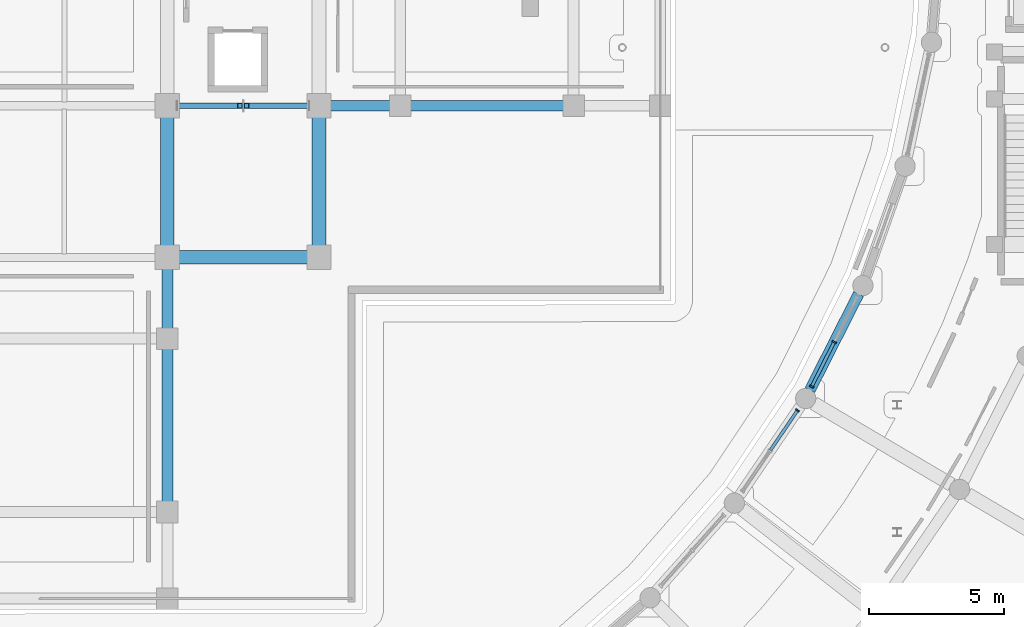
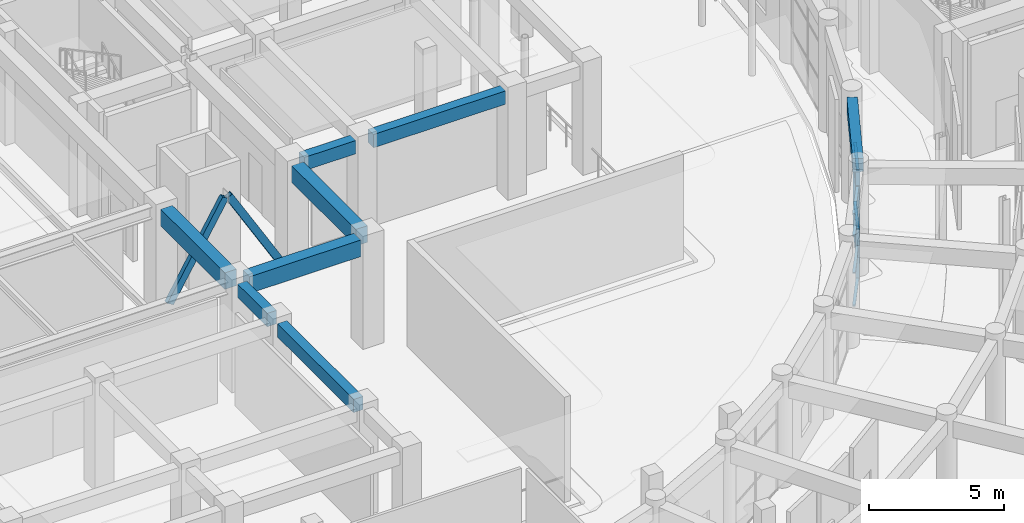
# One storey, part 41 of 99: 13 members, 8 beams, 2 elements without a shape of their own.
"""IFC4 building model written with IfcOpenShell, lengths in metres."""

from ifc_helpers import new_model, si_unit, direction, frame, origin, origin_2d, place, context, subcontext, project, spatial, rectangle, hollow_rectangle, extrude, material, material_profile, profile_set, type_object, element, aggregate, save


model = new_model("IFC4")

# Units and contexts
model_context = context("Model", 3, precision=1e-05, world=origin(), true_north=direction((0.0, 1.0)))
body_context = subcontext(model_context, "Body", "Model", "MODEL_VIEW")
ifc_project = project(units=[si_unit("LENGTHUNIT", "METRE"), si_unit("AREAUNIT", "SQUARE_METRE"), si_unit("VOLUMEUNIT", "CUBIC_METRE"), si_unit("PLANEANGLEUNIT", "RADIAN"), si_unit("MASSUNIT", "GRAM", prefix="KILO")], contexts=[model_context])

# Site, building, storey
site_placement = place(None, origin())
site = spatial("IfcSite", under=ifc_project, at=site_placement, CompositionType="ELEMENT")
building_placement = place(site_placement, origin())
building = spatial("IfcBuilding", under=site, at=building_placement, Name="Saryqyr Civic Hall", CompositionType="ELEMENT")
storey_placement = place(building_placement, origin())
storey = spatial("IfcBuildingStorey", under=building, at=storey_placement, Name="L00", CompositionType="ELEMENT", Elevation=0.0)

# Curtain wall, member
ifc_material_1 = material(Name="Anodised aluminium and triple low-E glass", Category="aluminium")
curtain_wall_type = type_object("IfcCurtainWallType", Name="ENV-CW-STD-09", PredefinedType="NOTDEFINED", material=ifc_material_1)
curtain_wall_1_placement = place(storey_placement, origin())
curtain_wall_1 = element("IfcCurtainWall", 1, at=curtain_wall_1_placement, inside=storey, type_object=curtain_wall_type, Name="Curtain wall V5-CWI-L00-05", PredefinedType="NOTDEFINED")
ifc_material_2 = material(Name="Anodised aluminium", Category="aluminium")
ifc_material_profile_1 = material_profile(ifc_material_2, rectangle(XDim=0.06005859375, YDim=0.159912109375, at=origin_2d()), Name="ALU MULLION 60x160")
ifc_profile_set_1 = profile_set([ifc_material_profile_1], Name="Anodised aluminium")
member_type_1 = type_object("IfcMemberType", Name="ENV-CW-MUL-180", PredefinedType="MULLION", material=ifc_profile_set_1)
member_1_placement = place(storey_placement, frame((87.868896484375, 65.149169921875, 0.0), z_axis=(0.0, 0.0, 1.0), x_axis=(0.563133092967, 0.826366213979, 0.0)))
member_1 = element("IfcMember", 2, at=member_1_placement, type_object=member_type_1, Name="CW-09 mullion 3", PredefinedType="MULLION", context=body_context, shape_type="SweptSolid", body=[
    extrude(rectangle(XDim=0.06005859375, YDim=0.159912109375, at=origin_2d()), origin(), (0.0, 0.0, 1.0), 4.195068359375),
])

# Curtain wall, members
curtain_wall_2_placement = place(storey_placement, origin())
curtain_wall_2 = element("IfcCurtainWall", 3, at=curtain_wall_2_placement, inside=storey, type_object=curtain_wall_type, Name="Curtain wall V5-CWI-L00-06", PredefinedType="NOTDEFINED")
member_2_placement = place(storey_placement, frame((88.392333984375, 66.03076171875, 0.0), z_axis=(0.0, 0.0, 1.0), x_axis=(0.451949777601, 0.892043383769, 0.0)))
member_2 = element("IfcMember", 4, at=member_2_placement, type_object=member_type_1, Name="CW-09 mullion 1", PredefinedType="MULLION", context=body_context, shape_type="SweptSolid", body=[
    extrude(rectangle(XDim=0.06005859375, YDim=0.159912109375, at=origin_2d()), origin(), (0.0, 0.0, 1.0), 4.195068359375),
])
member_3_placement = place(storey_placement, frame((89.224853515625, 67.67431640625, 0.0), z_axis=(0.0, 0.0, 1.0), x_axis=(0.451949777601, 0.892043383769, 0.0)))
member_3 = element("IfcMember", 5, at=member_3_placement, type_object=member_type_1, Name="CW-09 mullion 2", PredefinedType="MULLION", context=body_context, shape_type="SweptSolid", body=[
    extrude(rectangle(XDim=0.06005859375, YDim=0.159912109375, at=origin_2d()), origin(), (0.0, 0.0, 1.0), 4.195068359375),
])

# Member
ifc_material_profile_2 = material_profile(ifc_material_2, rectangle(XDim=0.1201171875, YDim=0.06005859375, at=origin_2d()), Name="ALU TRANSOM 120x60")
ifc_profile_set_2 = profile_set([ifc_material_profile_2], Name="Anodised aluminium")
member_type_2 = type_object("IfcMemberType", Name="ENV-CW-TRN-150", PredefinedType="USERDEFINED", material=ifc_profile_set_2)
member_4_placement = place(storey_placement, frame((86.868896484375, 63.68212890625, 0.030029296875), z_axis=(0.563128476931, 0.82636935959, 0.0), x_axis=(-0.82636935959, 0.563128476931, 0.0)))
member_4 = element("IfcMember", 6, at=member_4_placement, type_object=member_type_2, Name="CW-09 transom 2.1", ObjectType="TRANSOM", PredefinedType="USERDEFINED", context=body_context, shape_type="SweptSolid", body=[
    extrude(rectangle(XDim=0.1201171875, YDim=0.06005859375, at=origin_2d()), origin(), (0.0, 0.0, 1.0), 1.745361328125),
])

member_5_placement = place(storey_placement, frame((86.868896484375, 63.68212890625, 1.510009765625), z_axis=(0.563128476931, 0.82636935959, 0.0), x_axis=(-0.82636935959, 0.563128476931, 0.0)))
member_5 = element("IfcMember", 7, at=member_5_placement, type_object=member_type_2, Name="CW-09 transom 2.2", ObjectType="TRANSOM", PredefinedType="USERDEFINED", context=body_context, shape_type="SweptSolid", body=[
    extrude(rectangle(XDim=0.1201171875, YDim=0.06005859375, at=origin_2d()), origin(), (0.0, 0.0, 1.0), 1.745361328125),
])

member_6_placement = place(storey_placement, frame((86.868896484375, 63.68212890625, 3.18798828125), z_axis=(0.563128476931, 0.82636935959, 0.0), x_axis=(-0.82636935959, 0.563128476931, 0.0)))
member_6 = element("IfcMember", 8, at=member_6_placement, type_object=member_type_2, Name="CW-09 transom 2.3", ObjectType="TRANSOM", PredefinedType="USERDEFINED", context=body_context, shape_type="SweptSolid", body=[
    extrude(rectangle(XDim=0.1201171875, YDim=0.06005859375, at=origin_2d()), origin(), (0.0, 0.0, 1.0), 1.745361328125),
])

member_7_placement = place(storey_placement, frame((86.868896484375, 63.68212890625, 4.1650390625), z_axis=(0.563128476931, 0.82636935959, 0.0), x_axis=(-0.82636935959, 0.563128476931, 0.0)))
member_7 = element("IfcMember", 9, at=member_7_placement, type_object=member_type_2, Name="CW-09 transom 2.4", ObjectType="TRANSOM", PredefinedType="USERDEFINED", context=body_context, shape_type="SweptSolid", body=[
    extrude(rectangle(XDim=0.1201171875, YDim=0.06005859375, at=origin_2d()), origin(), (0.0, 0.0, 1.0), 1.745361328125),
])

aggregate(curtain_wall_1, [member_1, member_4, member_5, member_6, member_7])

member_8_placement = place(storey_placement, frame((88.40576171875, 66.0576171875, 0.030029296875), z_axis=(0.452028737244, 0.892003374829, 0.0), x_axis=(-0.892003374829, 0.452028737244, 0.0)))
member_8 = element("IfcMember", 10, at=member_8_placement, type_object=member_type_2, Name="CW-09 transom 1.1", ObjectType="TRANSOM", PredefinedType="USERDEFINED", context=body_context, shape_type="SweptSolid", body=[
    extrude(rectangle(XDim=0.1201171875, YDim=0.06005859375, at=origin_2d()), origin(), (0.0, 0.0, 1.0), 1.7822265625),
])

member_9_placement = place(storey_placement, frame((88.40576171875, 66.0576171875, 1.510009765625), z_axis=(0.452028737244, 0.892003374829, 0.0), x_axis=(-0.892003374829, 0.452028737244, 0.0)))
member_9 = element("IfcMember", 11, at=member_9_placement, type_object=member_type_2, Name="CW-09 transom 1.2", ObjectType="TRANSOM", PredefinedType="USERDEFINED", context=body_context, shape_type="SweptSolid", body=[
    extrude(rectangle(XDim=0.1201171875, YDim=0.06005859375, at=origin_2d()), origin(), (0.0, 0.0, 1.0), 1.7822265625),
])

member_10_placement = place(storey_placement, frame((88.40576171875, 66.0576171875, 3.18798828125), z_axis=(0.452028737244, 0.892003374829, 0.0), x_axis=(-0.892003374829, 0.452028737244, 0.0)))
member_10 = element("IfcMember", 12, at=member_10_placement, type_object=member_type_2, Name="CW-09 transom 1.3", ObjectType="TRANSOM", PredefinedType="USERDEFINED", context=body_context, shape_type="SweptSolid", body=[
    extrude(rectangle(XDim=0.1201171875, YDim=0.06005859375, at=origin_2d()), origin(), (0.0, 0.0, 1.0), 1.7822265625),
])

member_11_placement = place(storey_placement, frame((88.40576171875, 66.0576171875, 4.1650390625), z_axis=(0.452028737244, 0.892003374829, 0.0), x_axis=(-0.892003374829, 0.452028737244, 0.0)))
member_11 = element("IfcMember", 13, at=member_11_placement, type_object=member_type_2, Name="CW-09 transom 1.4", ObjectType="TRANSOM", PredefinedType="USERDEFINED", context=body_context, shape_type="SweptSolid", body=[
    extrude(rectangle(XDim=0.1201171875, YDim=0.06005859375, at=origin_2d()), origin(), (0.0, 0.0, 1.0), 1.7822265625),
])

aggregate(curtain_wall_2, [member_2, member_3, member_8, member_9, member_10, member_11])

# Beams
ifc_material_3 = material(Name="Concrete C35/45", Category="concrete")
ifc_material_profile_3 = material_profile(ifc_material_3, rectangle(XDim=0.39990234375, YDim=0.60009765625, at=origin_2d()), Name="RC 400x600")
ifc_profile_set_3 = profile_set([ifc_material_profile_3], Name="Concrete C35/45")
beam_type_1 = type_object("IfcBeamType", Name="STR-BM-RC400x600", PredefinedType="BEAM", material=ifc_profile_set_3)
for number, where, z_axis, x_axis, name in (
    (14, (73.574951171875, 76.39990234375, 4.52001953125), (1.0, 0.0, 0.0), (0.0, 1.0, 0.0), "Beam V1-TBM-24-L00"),
    (15, (64.60009765625, 61.77490234375, 4.52001953125), (0.0, 1.0, 0.0), (-1.0, 0.0, 0.0), "Beam V1-TBM-29-L00"),
):
    element("IfcBeam", number, at=place(storey_placement, frame(where, z_axis=z_axis, x_axis=x_axis)), inside=storey, type_object=beam_type_1, Name=name, PredefinedType="BEAM", context=body_context, shape_type="SweptSolid", body=[
        extrude(rectangle(XDim=0.39990234375, YDim=0.60009765625, at=origin_2d()), origin(), (0.0, 0.0, 1.0), 5.650146484375),
    ])
for number, where, z_axis, x_axis, name in (
    (16, (70.625, 76.39990234375, 4.52001953125), (1.0, 0.0, 0.0), (0.0, 1.0, 0.0), "Beam V1-TBM-44-L00"),
    (17, (64.60009765625, 68.175048828125, 4.52001953125), (0.0, 1.0, 0.0), (-1.0, 0.0, 0.0), "Beam V1-TBM-48-L00"),
):
    element("IfcBeam", number, at=place(storey_placement, frame(where, z_axis=z_axis, x_axis=x_axis)), inside=storey, type_object=beam_type_1, Name=name, PredefinedType="BEAM", context=body_context, shape_type="SweptSolid", body=[
        extrude(rectangle(XDim=0.39990234375, YDim=0.60009765625, at=origin_2d()), origin(), (0.0, 0.0, 1.0), 2.199951171875),
    ])
ifc_material_profile_4 = material_profile(ifc_material_3, rectangle(XDim=0.39990234375, YDim=0.60009765625, at=origin_2d()), Name="RC 400x600")
ifc_profile_set_4 = profile_set([ifc_material_profile_4], Name="Concrete C35/45")
beam_type_2 = type_object("IfcBeamType", Name="STR-BM-RC400x600-EXT", PredefinedType="BEAM", material=ifc_profile_set_4)
beam_placement = place(storey_placement, frame((88.32666015625, 65.901123046875, 4.52001953125), z_axis=(0.451923744882, 0.892056572652, 0.0), x_axis=(-0.892056572652, 0.451923744882, 0.0)))
element("IfcBeam", 18, at=beam_placement, inside=storey, type_object=beam_type_2, Name="Beam V5-CBM-IN06-L00", PredefinedType="BEAM", context=body_context, shape_type="SweptSolid", body=[
    extrude(rectangle(XDim=0.39990234375, YDim=0.60009765625, at=origin_2d()), origin(), (0.0, 0.0, 1.0), 3.9755859375),
])
ifc_material_4 = material(Name="Concrete C40/50", Category="concrete")
ifc_material_profile_5 = material_profile(ifc_material_4, rectangle(XDim=0.5, YDim=0.75, at=origin_2d()), Name="RC 500x750")
ifc_profile_set_5 = profile_set([ifc_material_profile_5], Name="Concrete C40/50")
beam_type_3 = type_object("IfcBeamType", Name="STR-BM-RC500x750", PredefinedType="BEAM", material=ifc_profile_set_5)
for number, where, z_axis, x_axis, name in (
    (19, (65.02490234375, 70.800048828125, 4.445068359375), (1.0, 0.0, 0.0), (0.0, 1.0, 0.0), "Beam V1-WBM-E1-L00"),
    (20, (64.60009765625, 71.22509765625, 4.445068359375), (0.0, 1.0, 0.0), (-1.0, 0.0, 0.0), "Beam V1-BM-NS31-L00"),
    (21, (70.199951171875, 71.22509765625, 4.445068359375), (0.0, 1.0, 0.0), (-1.0, 0.0, 0.0), "Beam V1-BM-NS41-L00"),
):
    element("IfcBeam", number, at=place(storey_placement, frame(where, z_axis=z_axis, x_axis=x_axis)), inside=storey, type_object=beam_type_3, Name=name, PredefinedType="BEAM", context=body_context, shape_type="SweptSolid", body=[
        extrude(rectangle(XDim=0.5, YDim=0.75, at=origin_2d()), origin(), (0.0, 0.0, 1.0), 4.75),
    ])

# Members
ifc_material_5 = material(Name="Steel S355", Category="steel")
ifc_material_profile_6 = material_profile(ifc_material_5, hollow_rectangle(XDim=0.199951171875, YDim=0.300048828125, WallThickness=0.01611328125, at=origin_2d()), Name="RHS 300x200x16")
ifc_profile_set_6 = profile_set([ifc_material_profile_6], Name="Steel S355")
member_type_3 = type_object("IfcMemberType", Name="STR-BR-RHS300", PredefinedType="BRACE", material=ifc_profile_set_6)
for number, where, z_axis, x_axis, name in (
    (22, (64.9599609375, 76.39990234375, 0.1201171875), (0.51005836124, 0.0, 0.86013979569), (0.0, 1.0, 0.0), "Seismic chevron brace 2A L00"),
    (23, (69.840087890625, 76.39990234375, 0.1201171875), (-0.51005836124, 0.0, 0.86013979569), (0.0, -1.0, 0.0), "Seismic chevron brace 2B L00"),
):
    element("IfcMember", number, at=place(storey_placement, frame(where, z_axis=z_axis, x_axis=x_axis)), inside=storey, type_object=member_type_3, Name=name, PredefinedType="BRACE", context=body_context, shape_type="SweptSolid", body=[
        extrude(hollow_rectangle(XDim=0.199951171875, YDim=0.300048828125, WallThickness=0.01611328125, at=origin_2d()), origin(), (0.0, 0.0, 1.0), 4.627197265625),
    ])

save(model, "model.ifc")
